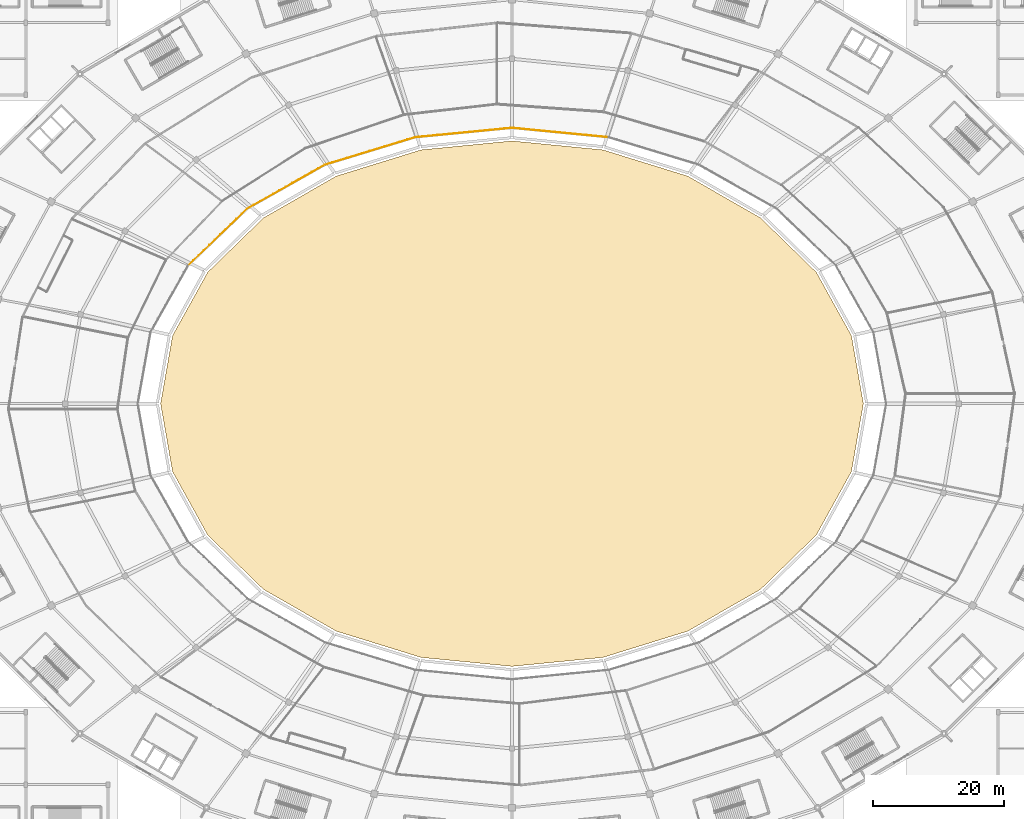
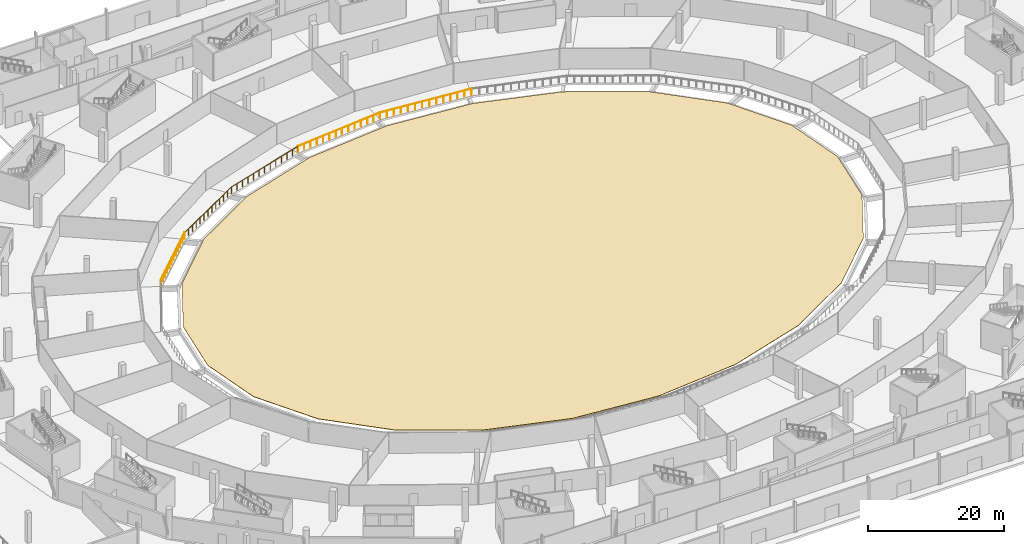
# One storey, part 67 of 82: 5 railings, 1 covering.
"""IFC4 building model written with IfcOpenShell, lengths in metres."""

import ifcopenshell
import ifcopenshell.guid

model = None  # the IFC model being written
_history = None  # IfcOwnerHistory: only IFC2X3 demands one
_inside = {}  # id of a spatial element -> (the spatial element, [elements in it])
_under = {}  # id of a project, library or spatial element -> (it, [spatial elements below it])
_declared = {}  # id of a project -> (the project, [libraries it declares])
_typed = {}  # id of a type object -> (the type object, [elements of that type])
_made_of = {}  # id of a material, layer set ... -> (it, [elements and type objects made of it])


def new_model(schema):
    """Start an empty IFC model of exactly this schema.

    Asked for "IFC4X3", IfcOpenShell would pick the latest addendum, in which some entities
    have other attributes; the version numbers below select the first issue.
    IFC2X3 requires an IfcOwnerHistory on every rooted entity: one is made here for all.
    """
    global model, _history
    if schema == "IFC4X3":
        model = ifcopenshell.file(schema_version=(4, 3, 0, 0))
    else:
        model = ifcopenshell.file(schema=schema)
    _inside.clear()
    _under.clear()
    _declared.clear()
    _typed.clear()
    _made_of.clear()
    _history = None
    if model.schema == "IFC2X3":
        org = make("IfcOrganization", Name="unknown")
        user = make(
            "IfcPersonAndOrganization",
            ThePerson=make("IfcPerson", FamilyName="unknown"),
            TheOrganization=org,
        )
        app = make(
            "IfcApplication",
            ApplicationDeveloper=org,
            Version="unknown",
            ApplicationFullName="unknown",
            ApplicationIdentifier="unknown",
        )
        _history = make(
            "IfcOwnerHistory",
            OwningUser=user,
            OwningApplication=app,
            ChangeAction="ADDED",
            CreationDate=0,
        )
    return model


def make(cls, **values):
    """One entity of the class cls with the attributes given. An attribute that is None is left unset."""
    return model.create_entity(
        cls, **{name: value for name, value in values.items() if value is not None}
    )


def rooted(cls, **values):
    """An entity with a GlobalId (a new one), such as an element, a storey or a relation."""
    return make(cls, GlobalId=ifcopenshell.guid.new(), OwnerHistory=_history, **values)


def si_unit(unit_type, name, prefix=None):
    """IfcSIUnit, for example si_unit("LENGTHUNIT", "METRE", prefix="MILLI")."""
    return make("IfcSIUnit", UnitType=unit_type, Prefix=prefix, Name=name)


def assignment(units):
    """IfcUnitAssignment: the units of a project."""
    return None if units is None else make("IfcUnitAssignment", Units=units)


def point(xyz):
    """IfcCartesianPoint."""
    return None if xyz is None else make("IfcCartesianPoint", Coordinates=xyz)


def direction(xyz):
    """IfcDirection."""
    return None if xyz is None else make("IfcDirection", DirectionRatios=xyz)


def frame(location, z_axis=None, x_axis=None):
    """IfcAxis2Placement3D, a coordinate frame: its origin and axes. An axis left out is left unset."""
    return make(
        "IfcAxis2Placement3D",
        Location=point(location),
        Axis=direction(z_axis),
        RefDirection=direction(x_axis),
    )


def frame_2d(location, x_axis=None):
    """IfcAxis2Placement2D, a coordinate frame in the plane: its origin and x axis."""
    return make(
        "IfcAxis2Placement2D", Location=point(location), RefDirection=direction(x_axis)
    )


def origin():
    """The frame at (0, 0, 0) with its axes left unset."""
    return frame((0.0, 0.0, 0.0))


def origin_2d():
    """The frame at (0, 0) in the plane with its x axis left unset."""
    return frame_2d((0.0, 0.0))


def place(relative_to, where):
    """IfcLocalPlacement: puts the frame where relative to a parent placement (None: the world)."""
    return make(
        "IfcLocalPlacement", PlacementRelTo=relative_to, RelativePlacement=where
    )


def context(
    kind, dimensions, precision=None, world=None, true_north=None, identifier=None
):
    """IfcGeometricRepresentationContext, for example the 3D "Model" context."""
    return make(
        "IfcGeometricRepresentationContext",
        ContextIdentifier=identifier,
        ContextType=kind,
        CoordinateSpaceDimension=dimensions,
        Precision=precision,
        WorldCoordinateSystem=world,
        TrueNorth=true_north,
    )


def subcontext(parent, identifier, kind, view, scale=None):
    """IfcGeometricRepresentationSubContext, for example "Body" below "Model"."""
    return make(
        "IfcGeometricRepresentationSubContext",
        ContextIdentifier=identifier,
        ContextType=kind,
        ParentContext=parent,
        TargetScale=scale,
        TargetView=view,
    )


def project(units=None, contexts=None):
    """IfcProject with its units and contexts."""
    return rooted(
        "IfcProject",
        Name="project",
        RepresentationContexts=contexts,
        UnitsInContext=assignment(units),
    )


def spatial(cls, under=None, at=None, **own):
    """A site, building, storey or space (cls), placed at a placement, below another one or the project."""
    s = rooted(cls, ObjectPlacement=at, **own)
    if under is not None:
        _under.setdefault(under.id(), (under, []))[1].append(s)
    return s


def polyline(points):
    """IfcPolyline through the points."""
    return make("IfcPolyline", Points=[point(p) for p in points])


def profile(cls, at=None, kind="AREA", **sizes):
    """A parametric profile (cls). Its sizes go by their IFC names, for example OverallWidth=200.0."""
    return make(cls, ProfileType=kind, Position=at, **sizes)


def rectangle(**sizes):
    """IfcRectangleProfileDef."""
    return profile("IfcRectangleProfileDef", **sizes)


def outline(outer, holes=None, kind="AREA"):
    """IfcArbitraryClosedProfileDef: a profile drawn as a closed curve; with holes, ...WithVoids."""
    if holes is None:
        return make("IfcArbitraryClosedProfileDef", ProfileType=kind, OuterCurve=outer)
    return make(
        "IfcArbitraryProfileDefWithVoids",
        ProfileType=kind,
        OuterCurve=outer,
        InnerCurves=holes,
    )


def extrude(swept, where, along, depth):
    """IfcExtrudedAreaSolid: the profile swept, set in the frame where, extruded along a direction by depth."""
    return make(
        "IfcExtrudedAreaSolid",
        SweptArea=swept,
        Position=where,
        ExtrudedDirection=direction(along),
        Depth=depth,
    )


def shape(context_of_items, identifier, shape_type, items):
    """IfcShapeRepresentation: the items that make up one representation, for example the "Body"."""
    return make(
        "IfcShapeRepresentation",
        ContextOfItems=context_of_items,
        RepresentationIdentifier=identifier,
        RepresentationType=shape_type,
        Items=items,
    )


def material(Name=None, Category=None):
    """IfcMaterial."""
    return make("IfcMaterial", Name=Name, Category=Category)


def layer(
    of_material, thickness, ventilated=None, Name=None, Category=None, Priority=None
):
    """IfcMaterialLayer: one layer of a wall or slab, of a material (None: an air gap)."""
    return make(
        "IfcMaterialLayer",
        Material=of_material,
        LayerThickness=thickness,
        IsVentilated=ventilated,
        Name=Name,
        Category=Category,
        Priority=Priority,
    )


def layer_set(layers, Name=None):
    """IfcMaterialLayerSet."""
    return make("IfcMaterialLayerSet", MaterialLayers=layers, LayerSetName=Name)


def made_of(thing, what):
    """Note that an element or type object is made of a material, layer set ...; save() writes the relation."""
    if what is not None:
        _made_of.setdefault(what.id(), (what, []))[1].append(thing)
    return thing


def type_object(cls, material=None, **own):
    """A type object (cls), such as IfcWallType, which elements share."""
    return made_of(rooted(cls, **own), material)


def element(
    cls,
    number,
    at=None,
    inside=None,
    cuts=None,
    type_object=None,
    material=None,
    context=None,
    identifier="Body",
    shape_type=None,
    held_by="IfcProductDefinitionShape",
    body=None,
    shapes=None,
    **own,
):
    """One element of the class cls, such as IfcWall. Its Tag is "e" and its number.

    at: its placement. inside: the storey or other place that contains it. cuts: it is an
    opening in that element (IfcRelVoidsElement). A single representation is given by context,
    identifier, shape_type and body (its items); several are given by shapes. held_by: the class
    of the entity that holds the representations. save() writes the other relations.
    """
    e = rooted(cls, Tag="e%d" % number, ObjectPlacement=at, **own)
    if body is not None:
        shapes = [shape(context, identifier, shape_type, body)]
    if shapes is not None:
        e.Representation = make(held_by, Representations=shapes)
    if inside is not None:
        _inside.setdefault(inside.id(), (inside, []))[1].append(e)
    if cuts is not None:
        rooted(
            "IfcRelVoidsElement", RelatingBuildingElement=cuts, RelatedOpeningElement=e
        )
    if type_object is not None:
        _typed.setdefault(type_object.id(), (type_object, []))[1].append(e)
    return made_of(e, material)


def aggregate(whole, parts):
    """IfcRelAggregates: a whole, such as a stair, and the parts it consists of."""
    return rooted("IfcRelAggregates", RelatingObject=whole, RelatedObjects=parts)


def save(model, path):
    """Write the relations noted so far, then the file.

    IfcRelAggregates (storeys below a building ...), IfcRelContainedInSpatialStructure (elements
    in a storey), IfcRelDefinesByType, IfcRelAssociatesMaterial and IfcRelDeclares: one each for
    every whole, place, type object, material and project.
    """
    for whole, parts in _under.values():
        aggregate(whole, parts)
    for where, things in _inside.values():
        rooted(
            "IfcRelContainedInSpatialStructure",
            RelatedElements=things,
            RelatingStructure=where,
        )
    for kind, things in _typed.values():
        rooted("IfcRelDefinesByType", RelatedObjects=things, RelatingType=kind)
    for what, things in _made_of.values():
        rooted("IfcRelAssociatesMaterial", RelatedObjects=things, RelatingMaterial=what)
    for by, libraries in _declared.values():
        rooted("IfcRelDeclares", RelatingContext=by, RelatedDefinitions=libraries)
    model.write(path)


model = new_model("IFC4")

# Units and contexts
model_context = context("Model", 3, precision=1e-05, world=origin(), true_north=direction((0.0, 1.0)))
body_context = subcontext(model_context, "Body", "Model", "MODEL_VIEW")
ifc_project = project(units=[si_unit("LENGTHUNIT", "METRE"), si_unit("AREAUNIT", "SQUARE_METRE"), si_unit("VOLUMEUNIT", "CUBIC_METRE"), si_unit("PLANEANGLEUNIT", "RADIAN"), si_unit("MASSUNIT", "GRAM", prefix="KILO")], contexts=[model_context])

# Site, building, storey
site_placement = place(None, origin())
site = spatial("IfcSite", under=ifc_project, at=site_placement, CompositionType="ELEMENT")
building_placement = place(site_placement, origin())
building = spatial("IfcBuilding", under=site, at=building_placement, Name="Zlatoyarsky Gate Stadium", CompositionType="ELEMENT")
storey_placement = place(building_placement, origin())
storey = spatial("IfcBuildingStorey", under=building, at=storey_placement, Name="L00", CompositionType="ELEMENT", Elevation=0.0)

# Railings
ifc_material_1 = material(Name="Powder-coated steel tubular guardrail", Category="steel")
railing_type = type_object("IfcRailingType", Name="CONCOURSE SLAB EDGE GUARDRAIL 1200", PredefinedType="GUARDRAIL", material=ifc_material_1)
railing_1_placement = place(storey_placement, frame((125.74755859375, 120.549560546875, 0.0)))
element("IfcRailing", 1, at=railing_1_placement, inside=storey, type_object=railing_type, Name="L00 inner bowl edge guardrail 05", PredefinedType="GUARDRAIL", context=body_context, shape_type="SweptSolid", body=[
    extrude(rectangle(XDim=0.048095703125, YDim=0.048095703125, at=origin_2d()), frame((0.0, 0.0, 1.17578125), z_axis=(-0.995329045142, 0.096540623042, 0.0), x_axis=(-0.096540623042, -0.995329045142, 0.0)), (0.0, 0.0, 1.0), 14.816650390625),
    extrude(rectangle(XDim=0.0419921875, YDim=0.0419921875, at=origin_2d()), origin(), (0.0, 0.0, 1.0), 1.15185546875),
    extrude(rectangle(XDim=0.0419921875, YDim=0.0419921875, at=origin_2d()), frame((-1.134521484375, 0.110107421875, 0.0)), (0.0, 0.0, 1.0), 1.15185546875),
    extrude(rectangle(XDim=0.0419921875, YDim=0.0419921875, at=origin_2d()), frame((-2.268798828125, 0.219970703125, 0.0)), (0.0, 0.0, 1.0), 1.15185546875),
    extrude(rectangle(XDim=0.0419921875, YDim=0.0419921875, at=origin_2d()), frame((-3.4033203125, 0.330078125, 0.0)), (0.0, 0.0, 1.0), 1.15185546875),
    extrude(rectangle(XDim=0.0419921875, YDim=0.0419921875, at=origin_2d()), frame((-4.53759765625, 0.440185546875, 0.0)), (0.0, 0.0, 1.0), 1.15185546875),
    extrude(rectangle(XDim=0.0419921875, YDim=0.0419921875, at=origin_2d()), frame((-5.672119140625, 0.550048828125, 0.0)), (0.0, 0.0, 1.0), 1.15185546875),
    extrude(rectangle(XDim=0.0419921875, YDim=0.0419921875, at=origin_2d()), frame((-6.806640625, 0.66015625, 0.0)), (0.0, 0.0, 1.0), 1.15185546875),
    extrude(rectangle(XDim=0.0419921875, YDim=0.0419921875, at=origin_2d()), frame((-7.94091796875, 0.770263671875, 0.0)), (0.0, 0.0, 1.0), 1.15185546875),
    extrude(rectangle(XDim=0.0419921875, YDim=0.0419921875, at=origin_2d()), frame((-9.075439453125, 0.88037109375, 0.0)), (0.0, 0.0, 1.0), 1.15185546875),
    extrude(rectangle(XDim=0.0419921875, YDim=0.0419921875, at=origin_2d()), frame((-10.2099609375, 0.990234375, 0.0)), (0.0, 0.0, 1.0), 1.15185546875),
    extrude(rectangle(XDim=0.0419921875, YDim=0.0419921875, at=origin_2d()), frame((-11.34423828125, 1.100341796875, 0.0)), (0.0, 0.0, 1.0), 1.15185546875),
    extrude(rectangle(XDim=0.0419921875, YDim=0.0419921875, at=origin_2d()), frame((-12.478759765625, 1.21044921875, 0.0)), (0.0, 0.0, 1.0), 1.15185546875),
    extrude(rectangle(XDim=0.0419921875, YDim=0.0419921875, at=origin_2d()), frame((-13.613037109375, 1.3203125, 0.0)), (0.0, 0.0, 1.0), 1.15185546875),
    extrude(rectangle(XDim=0.0419921875, YDim=0.0419921875, at=origin_2d()), frame((-14.74755859375, 1.430419921875, 0.0)), (0.0, 0.0, 1.0), 1.15185546875),
])
railing_2_placement = place(storey_placement, frame((111.0, 121.97998046875, 0.0)))
element("IfcRailing", 2, at=railing_2_placement, inside=storey, type_object=railing_type, Name="L00 inner bowl edge guardrail 06", PredefinedType="GUARDRAIL", context=body_context, shape_type="SweptSolid", body=[
    extrude(rectangle(XDim=0.048095703125, YDim=0.048095703125, at=origin_2d()), frame((0.0, 0.0, 1.17578125), z_axis=(-0.995329045142, -0.096540623042, 0.0), x_axis=(0.096540623042, -0.995329045142, 0.0)), (0.0, 0.0, 1.0), 14.816650390625),
    extrude(rectangle(XDim=0.0419921875, YDim=0.0419921875, at=origin_2d()), origin(), (0.0, 0.0, 1.0), 1.15185546875),
    extrude(rectangle(XDim=0.0419921875, YDim=0.0419921875, at=origin_2d()), frame((-1.134521484375, -0.110107421875, 0.0)), (0.0, 0.0, 1.0), 1.15185546875),
    extrude(rectangle(XDim=0.0419921875, YDim=0.0419921875, at=origin_2d()), frame((-2.268798828125, -0.219970703125, 0.0)), (0.0, 0.0, 1.0), 1.15185546875),
    extrude(rectangle(XDim=0.0419921875, YDim=0.0419921875, at=origin_2d()), frame((-3.4033203125, -0.330078125, 0.0)), (0.0, 0.0, 1.0), 1.15185546875),
    extrude(rectangle(XDim=0.0419921875, YDim=0.0419921875, at=origin_2d()), frame((-4.53759765625, -0.440185546875, 0.0)), (0.0, 0.0, 1.0), 1.15185546875),
    extrude(rectangle(XDim=0.0419921875, YDim=0.0419921875, at=origin_2d()), frame((-5.672119140625, -0.550048828125, 0.0)), (0.0, 0.0, 1.0), 1.15185546875),
    extrude(rectangle(XDim=0.0419921875, YDim=0.0419921875, at=origin_2d()), frame((-6.806640625, -0.66015625, 0.0)), (0.0, 0.0, 1.0), 1.15185546875),
    extrude(rectangle(XDim=0.0419921875, YDim=0.0419921875, at=origin_2d()), frame((-7.94091796875, -0.770263671875, 0.0)), (0.0, 0.0, 1.0), 1.15185546875),
    extrude(rectangle(XDim=0.0419921875, YDim=0.0419921875, at=origin_2d()), frame((-9.075439453125, -0.88037109375, 0.0)), (0.0, 0.0, 1.0), 1.15185546875),
    extrude(rectangle(XDim=0.0419921875, YDim=0.0419921875, at=origin_2d()), frame((-10.2099609375, -0.990234375, 0.0)), (0.0, 0.0, 1.0), 1.15185546875),
    extrude(rectangle(XDim=0.0419921875, YDim=0.0419921875, at=origin_2d()), frame((-11.34423828125, -1.100341796875, 0.0)), (0.0, 0.0, 1.0), 1.15185546875),
    extrude(rectangle(XDim=0.0419921875, YDim=0.0419921875, at=origin_2d()), frame((-12.478759765625, -1.21044921875, 0.0)), (0.0, 0.0, 1.0), 1.15185546875),
    extrude(rectangle(XDim=0.0419921875, YDim=0.0419921875, at=origin_2d()), frame((-13.613037109375, -1.3203125, 0.0)), (0.0, 0.0, 1.0), 1.15185546875),
    extrude(rectangle(XDim=0.0419921875, YDim=0.0419921875, at=origin_2d()), frame((-14.74755859375, -1.430419921875, 0.0)), (0.0, 0.0, 1.0), 1.15185546875),
])
railing_3_placement = place(storey_placement, frame((96.25244140625, 120.549560546875, 0.0)))
element("IfcRailing", 3, at=railing_3_placement, inside=storey, type_object=railing_type, Name="L00 inner bowl edge guardrail 07", PredefinedType="GUARDRAIL", context=body_context, shape_type="SweptSolid", body=[
    extrude(rectangle(XDim=0.048095703125, YDim=0.048095703125, at=origin_2d()), frame((0.0, 0.0, 1.17578125), z_axis=(-0.956453212305, -0.291885684254, 0.0), x_axis=(0.291885684254, -0.956453212305, 0.0)), (0.0, 0.0, 1.0), 14.3681640625),
    extrude(rectangle(XDim=0.0419921875, YDim=0.0419921875, at=origin_2d()), origin(), (0.0, 0.0, 1.0), 1.15185546875),
    extrude(rectangle(XDim=0.0419921875, YDim=0.0419921875, at=origin_2d()), frame((-1.145263671875, -0.349609375, 0.0)), (0.0, 0.0, 1.0), 1.15185546875),
    extrude(rectangle(XDim=0.0419921875, YDim=0.0419921875, at=origin_2d()), frame((-2.29052734375, -0.698974609375, 0.0)), (0.0, 0.0, 1.0), 1.15185546875),
    extrude(rectangle(XDim=0.0419921875, YDim=0.0419921875, at=origin_2d()), frame((-3.435546875, -1.04833984375, 0.0)), (0.0, 0.0, 1.0), 1.15185546875),
    extrude(rectangle(XDim=0.0419921875, YDim=0.0419921875, at=origin_2d()), frame((-4.580810546875, -1.39794921875, 0.0)), (0.0, 0.0, 1.0), 1.15185546875),
    extrude(rectangle(XDim=0.0419921875, YDim=0.0419921875, at=origin_2d()), frame((-5.72607421875, -1.74755859375, 0.0)), (0.0, 0.0, 1.0), 1.15185546875),
    extrude(rectangle(XDim=0.0419921875, YDim=0.0419921875, at=origin_2d()), frame((-6.87109375, -2.096923828125, 0.0)), (0.0, 0.0, 1.0), 1.15185546875),
    extrude(rectangle(XDim=0.0419921875, YDim=0.0419921875, at=origin_2d()), frame((-8.016357421875, -2.4462890625, 0.0)), (0.0, 0.0, 1.0), 1.15185546875),
    extrude(rectangle(XDim=0.0419921875, YDim=0.0419921875, at=origin_2d()), frame((-9.16162109375, -2.7958984375, 0.0)), (0.0, 0.0, 1.0), 1.15185546875),
    extrude(rectangle(XDim=0.0419921875, YDim=0.0419921875, at=origin_2d()), frame((-10.306884765625, -3.1455078125, 0.0)), (0.0, 0.0, 1.0), 1.15185546875),
    extrude(rectangle(XDim=0.0419921875, YDim=0.0419921875, at=origin_2d()), frame((-11.4521484375, -3.494873046875, 0.0)), (0.0, 0.0, 1.0), 1.15185546875),
    extrude(rectangle(XDim=0.0419921875, YDim=0.0419921875, at=origin_2d()), frame((-12.59716796875, -3.84423828125, 0.0)), (0.0, 0.0, 1.0), 1.15185546875),
    extrude(rectangle(XDim=0.0419921875, YDim=0.0419921875, at=origin_2d()), frame((-13.742431640625, -4.19384765625, 0.0)), (0.0, 0.0, 1.0), 1.15185546875),
])
railing_4_placement = place(storey_placement, frame((82.510009765625, 116.355712890625, 0.0)))
element("IfcRailing", 4, at=railing_4_placement, inside=storey, type_object=railing_type, Name="L00 inner bowl edge guardrail 08", PredefinedType="GUARDRAIL", context=body_context, shape_type="SweptSolid", body=[
    extrude(rectangle(XDim=0.048095703125, YDim=0.048095703125, at=origin_2d()), frame((0.0, 0.0, 1.17578125), z_axis=(-0.870523591827, -0.492126687015, 0.0), x_axis=(0.492126687015, -0.870523591827, 0.0)), (0.0, 0.0, 1.0), 13.55615234375),
    extrude(rectangle(XDim=0.0419921875, YDim=0.0419921875, at=origin_2d()), origin(), (0.0, 0.0, 1.0), 1.15185546875),
    extrude(rectangle(XDim=0.0419921875, YDim=0.0419921875, at=origin_2d()), frame((-0.9833984375, -0.555908203125, 0.0)), (0.0, 0.0, 1.0), 1.15185546875),
    extrude(rectangle(XDim=0.0419921875, YDim=0.0419921875, at=origin_2d()), frame((-1.966796875, -1.11181640625, 0.0)), (0.0, 0.0, 1.0), 1.15185546875),
    extrude(rectangle(XDim=0.0419921875, YDim=0.0419921875, at=origin_2d()), frame((-2.9501953125, -1.66796875, 0.0)), (0.0, 0.0, 1.0), 1.15185546875),
    extrude(rectangle(XDim=0.0419921875, YDim=0.0419921875, at=origin_2d()), frame((-3.93359375, -2.223876953125, 0.0)), (0.0, 0.0, 1.0), 1.15185546875),
    extrude(rectangle(XDim=0.0419921875, YDim=0.0419921875, at=origin_2d()), frame((-4.9169921875, -2.77978515625, 0.0)), (0.0, 0.0, 1.0), 1.15185546875),
    extrude(rectangle(XDim=0.0419921875, YDim=0.0419921875, at=origin_2d()), frame((-5.900390625, -3.335693359375, 0.0)), (0.0, 0.0, 1.0), 1.15185546875),
    extrude(rectangle(XDim=0.0419921875, YDim=0.0419921875, at=origin_2d()), frame((-6.884033203125, -3.8916015625, 0.0)), (0.0, 0.0, 1.0), 1.15185546875),
    extrude(rectangle(XDim=0.0419921875, YDim=0.0419921875, at=origin_2d()), frame((-7.867431640625, -4.447509765625, 0.0)), (0.0, 0.0, 1.0), 1.15185546875),
    extrude(rectangle(XDim=0.0419921875, YDim=0.0419921875, at=origin_2d()), frame((-8.850830078125, -5.00341796875, 0.0)), (0.0, 0.0, 1.0), 1.15185546875),
    extrude(rectangle(XDim=0.0419921875, YDim=0.0419921875, at=origin_2d()), frame((-9.834228515625, -5.5595703125, 0.0)), (0.0, 0.0, 1.0), 1.15185546875),
    extrude(rectangle(XDim=0.0419921875, YDim=0.0419921875, at=origin_2d()), frame((-10.817626953125, -6.115478515625, 0.0)), (0.0, 0.0, 1.0), 1.15185546875),
    extrude(rectangle(XDim=0.0419921875, YDim=0.0419921875, at=origin_2d()), frame((-11.801025390625, -6.67138671875, 0.0)), (0.0, 0.0, 1.0), 1.15185546875),
])
railing_5_placement = place(storey_placement, frame((70.708984375, 109.684326171875, 0.0)))
element("IfcRailing", 5, at=railing_5_placement, inside=storey, type_object=railing_type, Name="L00 inner bowl edge guardrail 09", PredefinedType="GUARDRAIL", context=body_context, shape_type="SweptSolid", body=[
    extrude(rectangle(XDim=0.048095703125, YDim=0.048095703125, at=origin_2d()), frame((0.0, 0.0, 1.17578125), z_axis=(-0.721332909248, -0.692588502673, 0.0), x_axis=(0.692588502673, -0.721332909248, 0.0)), (0.0, 0.0, 1.0), 12.553466796875),
    extrude(rectangle(XDim=0.0419921875, YDim=0.0419921875, at=origin_2d()), origin(), (0.0, 0.0, 1.0), 1.15185546875),
    extrude(rectangle(XDim=0.0419921875, YDim=0.0419921875, at=origin_2d()), frame((-0.8232421875, -0.790283203125, 0.0)), (0.0, 0.0, 1.0), 1.15185546875),
    extrude(rectangle(XDim=0.0419921875, YDim=0.0419921875, at=origin_2d()), frame((-1.646484375, -1.580810546875, 0.0)), (0.0, 0.0, 1.0), 1.15185546875),
    extrude(rectangle(XDim=0.0419921875, YDim=0.0419921875, at=origin_2d()), frame((-2.469482421875, -2.37109375, 0.0)), (0.0, 0.0, 1.0), 1.15185546875),
    extrude(rectangle(XDim=0.0419921875, YDim=0.0419921875, at=origin_2d()), frame((-3.292724609375, -3.16162109375, 0.0)), (0.0, 0.0, 1.0), 1.15185546875),
    extrude(rectangle(XDim=0.0419921875, YDim=0.0419921875, at=origin_2d()), frame((-4.115966796875, -3.951904296875, 0.0)), (0.0, 0.0, 1.0), 1.15185546875),
    extrude(rectangle(XDim=0.0419921875, YDim=0.0419921875, at=origin_2d()), frame((-4.939208984375, -4.742431640625, 0.0)), (0.0, 0.0, 1.0), 1.15185546875),
    extrude(rectangle(XDim=0.0419921875, YDim=0.0419921875, at=origin_2d()), frame((-5.762451171875, -5.53271484375, 0.0)), (0.0, 0.0, 1.0), 1.15185546875),
    extrude(rectangle(XDim=0.0419921875, YDim=0.0419921875, at=origin_2d()), frame((-6.585693359375, -6.3232421875, 0.0)), (0.0, 0.0, 1.0), 1.15185546875),
    extrude(rectangle(XDim=0.0419921875, YDim=0.0419921875, at=origin_2d()), frame((-7.40869140625, -7.113525390625, 0.0)), (0.0, 0.0, 1.0), 1.15185546875),
    extrude(rectangle(XDim=0.0419921875, YDim=0.0419921875, at=origin_2d()), frame((-8.23193359375, -7.904052734375, 0.0)), (0.0, 0.0, 1.0), 1.15185546875),
    extrude(rectangle(XDim=0.0419921875, YDim=0.0419921875, at=origin_2d()), frame((-9.05517578125, -8.6943359375, 0.0)), (0.0, 0.0, 1.0), 1.15185546875),
])

# Covering
ifc_material_2 = material(Name="Natural turf rootzone on heated drainage layer", Category="earth")
ifc_layer = layer(ifc_material_2, 0.080078125)
ifc_layer_set = layer_set([ifc_layer], Name="Natural turf rootzone on heated drainage layer")
covering_type = type_object("IfcCoveringType", Name="HYBRID REINFORCED NATURAL TURF PITCH FLOORING 80", PredefinedType="FLOORING", material=ifc_layer_set)
covering_placement = place(storey_placement, frame((0.0, 0.0, -0.080078125)))
element("IfcCovering", 6, at=covering_placement, inside=storey, type_object=covering_type, Name="Natural grass stadium pitch turf 105x68 m and touchline apron", PredefinedType="FLOORING", context=body_context, shape_type="SweptSolid", body=[
    extrude(outline(polyline([(164.5, 80.0), (162.677001953125, 90.352783203125), (157.33251953125, 100.0), (148.830078125, 108.2841796875), (137.75, 114.64111328125), (124.8466796875, 118.636962890625), (111.0, 120.0), (97.1533203125, 118.636962890625), (84.25, 114.64111328125), (73.169921875, 108.2841796875), (64.66748046875, 100.0), (59.322998046875, 90.352783203125), (57.5, 80.0), (59.322998046875, 69.647216796875), (64.66748046875, 60.0), (73.169921875, 51.7158203125), (84.25, 45.35888671875), (97.1533203125, 41.363037109375), (111.0, 40.0), (124.8466796875, 41.363037109375), (137.75, 45.35888671875), (148.830078125, 51.7158203125), (157.33251953125, 60.0), (162.677001953125, 69.647216796875), (164.5, 80.0)])), origin(), (0.0, 0.0, 1.0), 0.080078125),
])

save(model, "model.ifc")
